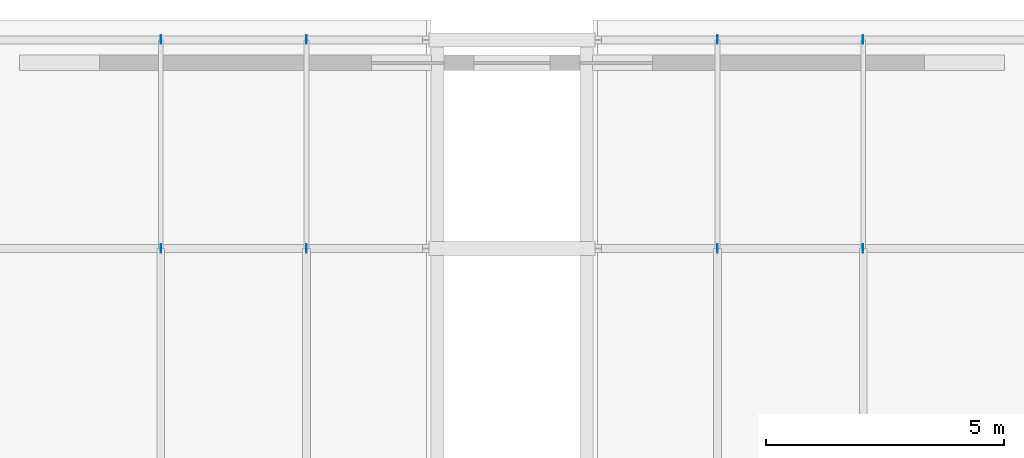
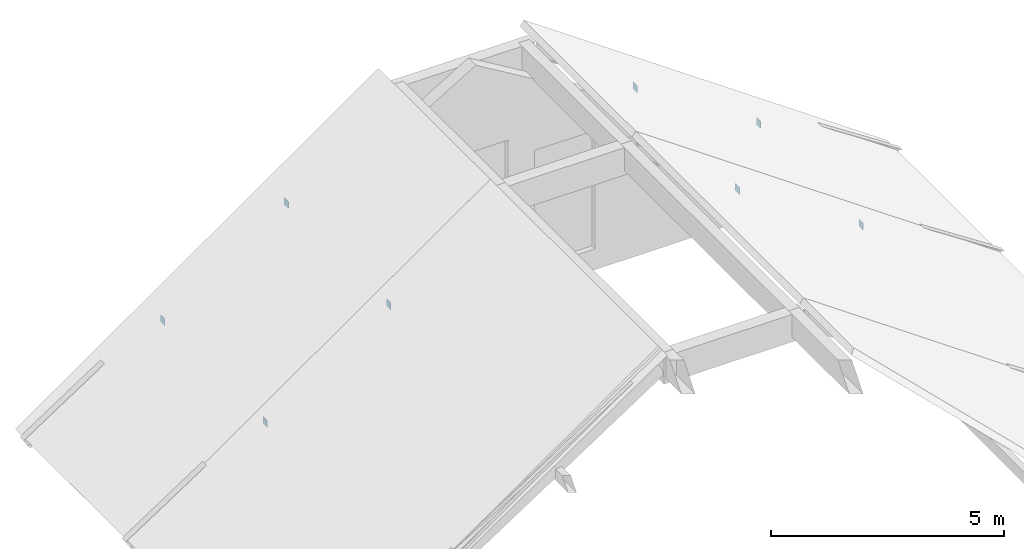
# One storey, part 29 of 48: 8 plates.
"""IFC4 building model written with IfcOpenShell, lengths in metres."""

from ifc_helpers import new_model, si_unit, direction, frame, origin, place, context, subcontext, project, spatial, polyline, outline, extrude, material, layer, layer_set, type_object, element, save


model = new_model("IFC4")

# Units and contexts
model_context = context("Model", 3, precision=1e-05, world=origin(), true_north=direction((0.0, 1.0)))
body_context = subcontext(model_context, "Body", "Model", "MODEL_VIEW")
ifc_project = project(units=[si_unit("LENGTHUNIT", "METRE"), si_unit("AREAUNIT", "SQUARE_METRE"), si_unit("VOLUMEUNIT", "CUBIC_METRE"), si_unit("PLANEANGLEUNIT", "RADIAN"), si_unit("MASSUNIT", "GRAM", prefix="KILO")], contexts=[model_context])

# Site, building, storey
site_placement = place(None, origin())
site = spatial("IfcSite", under=ifc_project, at=site_placement, CompositionType="ELEMENT")
building_placement = place(site_placement, origin())
building = spatial("IfcBuilding", under=site, at=building_placement, Name="Alvorim Cloister Faculty of Sciences", CompositionType="ELEMENT")
storey_placement = place(building_placement, frame((0.0, 0.0, 19.35009765625)))
storey = spatial("IfcBuildingStorey", under=building, at=storey_placement, Name="L05", CompositionType="ELEMENT", Elevation=19.35009765625)

# Plates
ifc_material = material(Name="Steel ASTM A572 Grade 50", Category="steel")
ifc_layer = layer(ifc_material, 0.011962890625)
ifc_layer_set = layer_set([ifc_layer], Name="Steel ASTM A572 Grade 50")
plate_type = type_object("IfcPlateType", Name="PL-CAP-12", PredefinedType="SHEET", material=ifc_layer_set)
for number, where, z_axis, x_axis, name in (
    (1, (3.419921875, 106.7041015625, 1.812255859375), (0.0, 0.0, 1.0), (0.0, 1.0, 0.0), "Hollow Steel End Plate ND-05"),
    (2, (3.419921875, 111.095947265625, 1.812255859375), (0.0, 0.0, 1.0), (0.0, 1.0, 0.0), "Hollow Steel End Plate ND-05"),
    (3, (18.179931640625, 106.7041015625, 1.812255859375), (0.0, 0.0, 1.0), (0.0, 1.0, 0.0), "Hollow Steel End Plate ND-05"),
    (4, (18.179931640625, 111.095947265625, 1.812255859375), (0.0, 0.0, 1.0), (0.0, 1.0, 0.0), "Hollow Steel End Plate ND-05"),
    (5, (6.47998046875, 106.7041015625, 3.818603515625), (0.0, 0.0, 1.0), (0.0, 1.0, 0.0), "Hollow Steel End Plate ND-05"),
    (6, (6.47998046875, 111.095947265625, 3.818603515625), (0.0, 0.0, 1.0), (0.0, 1.0, 0.0), "Hollow Steel End Plate ND-05"),
    (7, (15.1201171875, 106.7041015625, 3.818603515625), (0.0, 0.0, 1.0), (0.0, 1.0, 0.0), "Hollow Steel End Plate ND-05"),
    (8, (15.1201171875, 111.095947265625, 3.818603515625), (0.0, 0.0, 1.0), (0.0, 1.0, 0.0), "Hollow Steel End Plate ND-05"),
):
    element("IfcPlate", number, at=place(storey_placement, frame(where, z_axis=z_axis, x_axis=x_axis)), inside=storey, type_object=plate_type, Name=name, PredefinedType="SHEET", context=body_context, shape_type="SweptSolid", body=[
        extrude(outline(polyline([(0.0, 0.0), (0.179931640625, 0.0), (0.179931640625, 0.179931640625), (0.0, 0.179931640625), (0.0, 0.0)])), frame((0.0, 0.005859375, 0.0), z_axis=(0.0, -1.0, 0.0), x_axis=(1.0, 0.0, 0.0)), (0.0, 0.0, 1.0), 0.011962890625),
    ])

save(model, "model.ifc")
